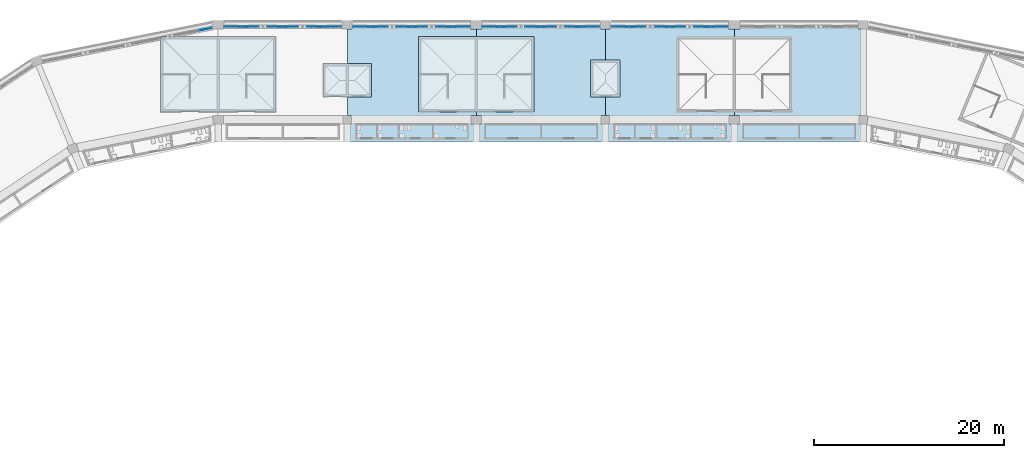
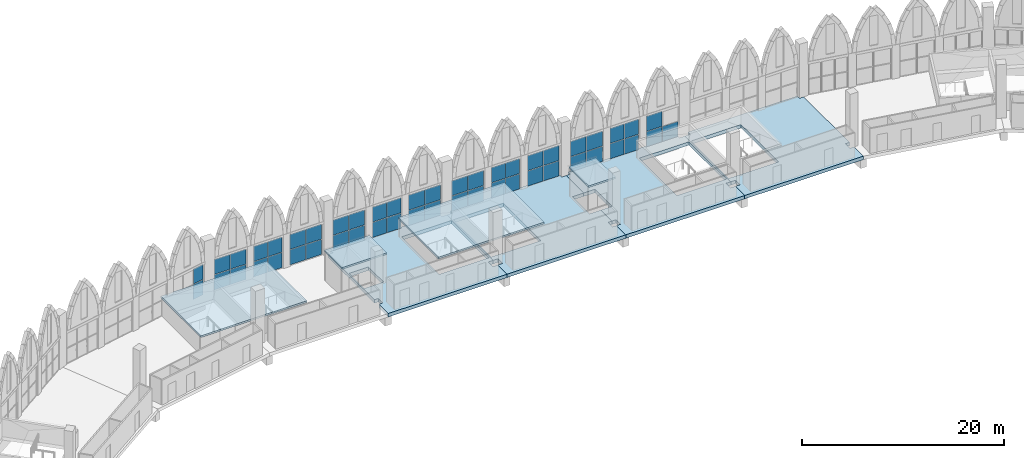
# One storey, part 59 of 130: 49 plates, 8 slabs, 13 elements without a shape of their own.
"""IFC4 building model written with IfcOpenShell, lengths in metres."""

import ifcopenshell
import ifcopenshell.guid

model = None  # the IFC model being written
_history = None  # IfcOwnerHistory: only IFC2X3 demands one
_inside = {}  # id of a spatial element -> (the spatial element, [elements in it])
_under = {}  # id of a project, library or spatial element -> (it, [spatial elements below it])
_declared = {}  # id of a project -> (the project, [libraries it declares])
_typed = {}  # id of a type object -> (the type object, [elements of that type])
_made_of = {}  # id of a material, layer set ... -> (it, [elements and type objects made of it])


def new_model(schema):
    """Start an empty IFC model of exactly this schema.

    Asked for "IFC4X3", IfcOpenShell would pick the latest addendum, in which some entities
    have other attributes; the version numbers below select the first issue.
    IFC2X3 requires an IfcOwnerHistory on every rooted entity: one is made here for all.
    """
    global model, _history
    if schema == "IFC4X3":
        model = ifcopenshell.file(schema_version=(4, 3, 0, 0))
    else:
        model = ifcopenshell.file(schema=schema)
    _inside.clear()
    _under.clear()
    _declared.clear()
    _typed.clear()
    _made_of.clear()
    _history = None
    if model.schema == "IFC2X3":
        org = make("IfcOrganization", Name="unknown")
        user = make(
            "IfcPersonAndOrganization",
            ThePerson=make("IfcPerson", FamilyName="unknown"),
            TheOrganization=org,
        )
        app = make(
            "IfcApplication",
            ApplicationDeveloper=org,
            Version="unknown",
            ApplicationFullName="unknown",
            ApplicationIdentifier="unknown",
        )
        _history = make(
            "IfcOwnerHistory",
            OwningUser=user,
            OwningApplication=app,
            ChangeAction="ADDED",
            CreationDate=0,
        )
    return model


def make(cls, **values):
    """One entity of the class cls with the attributes given. An attribute that is None is left unset."""
    return model.create_entity(
        cls, **{name: value for name, value in values.items() if value is not None}
    )


def rooted(cls, **values):
    """An entity with a GlobalId (a new one), such as an element, a storey or a relation."""
    return make(cls, GlobalId=ifcopenshell.guid.new(), OwnerHistory=_history, **values)


def si_unit(unit_type, name, prefix=None):
    """IfcSIUnit, for example si_unit("LENGTHUNIT", "METRE", prefix="MILLI")."""
    return make("IfcSIUnit", UnitType=unit_type, Prefix=prefix, Name=name)


def assignment(units):
    """IfcUnitAssignment: the units of a project."""
    return None if units is None else make("IfcUnitAssignment", Units=units)


def point(xyz):
    """IfcCartesianPoint."""
    return None if xyz is None else make("IfcCartesianPoint", Coordinates=xyz)


def direction(xyz):
    """IfcDirection."""
    return None if xyz is None else make("IfcDirection", DirectionRatios=xyz)


def frame(location, z_axis=None, x_axis=None):
    """IfcAxis2Placement3D, a coordinate frame: its origin and axes. An axis left out is left unset."""
    return make(
        "IfcAxis2Placement3D",
        Location=point(location),
        Axis=direction(z_axis),
        RefDirection=direction(x_axis),
    )


def frame_2d(location, x_axis=None):
    """IfcAxis2Placement2D, a coordinate frame in the plane: its origin and x axis."""
    return make(
        "IfcAxis2Placement2D", Location=point(location), RefDirection=direction(x_axis)
    )


def origin():
    """The frame at (0, 0, 0) with its axes left unset."""
    return frame((0.0, 0.0, 0.0))


def origin_2d():
    """The frame at (0, 0) in the plane with its x axis left unset."""
    return frame_2d((0.0, 0.0))


def place(relative_to, where):
    """IfcLocalPlacement: puts the frame where relative to a parent placement (None: the world)."""
    return make(
        "IfcLocalPlacement", PlacementRelTo=relative_to, RelativePlacement=where
    )


def context(
    kind, dimensions, precision=None, world=None, true_north=None, identifier=None
):
    """IfcGeometricRepresentationContext, for example the 3D "Model" context."""
    return make(
        "IfcGeometricRepresentationContext",
        ContextIdentifier=identifier,
        ContextType=kind,
        CoordinateSpaceDimension=dimensions,
        Precision=precision,
        WorldCoordinateSystem=world,
        TrueNorth=true_north,
    )


def subcontext(parent, identifier, kind, view, scale=None):
    """IfcGeometricRepresentationSubContext, for example "Body" below "Model"."""
    return make(
        "IfcGeometricRepresentationSubContext",
        ContextIdentifier=identifier,
        ContextType=kind,
        ParentContext=parent,
        TargetScale=scale,
        TargetView=view,
    )


def project(units=None, contexts=None):
    """IfcProject with its units and contexts."""
    return rooted(
        "IfcProject",
        Name="project",
        RepresentationContexts=contexts,
        UnitsInContext=assignment(units),
    )


def spatial(cls, under=None, at=None, **own):
    """A site, building, storey or space (cls), placed at a placement, below another one or the project."""
    s = rooted(cls, ObjectPlacement=at, **own)
    if under is not None:
        _under.setdefault(under.id(), (under, []))[1].append(s)
    return s


def polyline(points):
    """IfcPolyline through the points."""
    return make("IfcPolyline", Points=[point(p) for p in points])


def profile(cls, at=None, kind="AREA", **sizes):
    """A parametric profile (cls). Its sizes go by their IFC names, for example OverallWidth=200.0."""
    return make(cls, ProfileType=kind, Position=at, **sizes)


def rectangle(**sizes):
    """IfcRectangleProfileDef."""
    return profile("IfcRectangleProfileDef", **sizes)


def outline(outer, holes=None, kind="AREA"):
    """IfcArbitraryClosedProfileDef: a profile drawn as a closed curve; with holes, ...WithVoids."""
    if holes is None:
        return make("IfcArbitraryClosedProfileDef", ProfileType=kind, OuterCurve=outer)
    return make(
        "IfcArbitraryProfileDefWithVoids",
        ProfileType=kind,
        OuterCurve=outer,
        InnerCurves=holes,
    )


def extrude(swept, where, along, depth):
    """IfcExtrudedAreaSolid: the profile swept, set in the frame where, extruded along a direction by depth."""
    return make(
        "IfcExtrudedAreaSolid",
        SweptArea=swept,
        Position=where,
        ExtrudedDirection=direction(along),
        Depth=depth,
    )


def shape(context_of_items, identifier, shape_type, items):
    """IfcShapeRepresentation: the items that make up one representation, for example the "Body"."""
    return make(
        "IfcShapeRepresentation",
        ContextOfItems=context_of_items,
        RepresentationIdentifier=identifier,
        RepresentationType=shape_type,
        Items=items,
    )


def material(Name=None, Category=None):
    """IfcMaterial."""
    return make("IfcMaterial", Name=Name, Category=Category)


def layer(
    of_material, thickness, ventilated=None, Name=None, Category=None, Priority=None
):
    """IfcMaterialLayer: one layer of a wall or slab, of a material (None: an air gap)."""
    return make(
        "IfcMaterialLayer",
        Material=of_material,
        LayerThickness=thickness,
        IsVentilated=ventilated,
        Name=Name,
        Category=Category,
        Priority=Priority,
    )


def layer_set(layers, Name=None):
    """IfcMaterialLayerSet."""
    return make("IfcMaterialLayerSet", MaterialLayers=layers, LayerSetName=Name)


def made_of(thing, what):
    """Note that an element or type object is made of a material, layer set ...; save() writes the relation."""
    if what is not None:
        _made_of.setdefault(what.id(), (what, []))[1].append(thing)
    return thing


def type_object(cls, material=None, **own):
    """A type object (cls), such as IfcWallType, which elements share."""
    return made_of(rooted(cls, **own), material)


def element(
    cls,
    number,
    at=None,
    inside=None,
    cuts=None,
    type_object=None,
    material=None,
    context=None,
    identifier="Body",
    shape_type=None,
    held_by="IfcProductDefinitionShape",
    body=None,
    shapes=None,
    **own,
):
    """One element of the class cls, such as IfcWall. Its Tag is "e" and its number.

    at: its placement. inside: the storey or other place that contains it. cuts: it is an
    opening in that element (IfcRelVoidsElement). A single representation is given by context,
    identifier, shape_type and body (its items); several are given by shapes. held_by: the class
    of the entity that holds the representations. save() writes the other relations.
    """
    e = rooted(cls, Tag="e%d" % number, ObjectPlacement=at, **own)
    if body is not None:
        shapes = [shape(context, identifier, shape_type, body)]
    if shapes is not None:
        e.Representation = make(held_by, Representations=shapes)
    if inside is not None:
        _inside.setdefault(inside.id(), (inside, []))[1].append(e)
    if cuts is not None:
        rooted(
            "IfcRelVoidsElement", RelatingBuildingElement=cuts, RelatedOpeningElement=e
        )
    if type_object is not None:
        _typed.setdefault(type_object.id(), (type_object, []))[1].append(e)
    return made_of(e, material)


def aggregate(whole, parts):
    """IfcRelAggregates: a whole, such as a stair, and the parts it consists of."""
    return rooted("IfcRelAggregates", RelatingObject=whole, RelatedObjects=parts)


def save(model, path):
    """Write the relations noted so far, then the file.

    IfcRelAggregates (storeys below a building ...), IfcRelContainedInSpatialStructure (elements
    in a storey), IfcRelDefinesByType, IfcRelAssociatesMaterial and IfcRelDeclares: one each for
    every whole, place, type object, material and project.
    """
    for whole, parts in _under.values():
        aggregate(whole, parts)
    for where, things in _inside.values():
        rooted(
            "IfcRelContainedInSpatialStructure",
            RelatedElements=things,
            RelatingStructure=where,
        )
    for kind, things in _typed.values():
        rooted("IfcRelDefinesByType", RelatedObjects=things, RelatingType=kind)
    for what, things in _made_of.values():
        rooted("IfcRelAssociatesMaterial", RelatedObjects=things, RelatingMaterial=what)
    for by, libraries in _declared.values():
        rooted("IfcRelDeclares", RelatingContext=by, RelatedDefinitions=libraries)
    model.write(path)


model = new_model("IFC4")

# Units and contexts
model_context = context("Model", 3, precision=1e-05, world=origin(), true_north=direction((0.0, 1.0)))
body_context = subcontext(model_context, "Body", "Model", "MODEL_VIEW")
ifc_project = project(units=[si_unit("LENGTHUNIT", "METRE"), si_unit("AREAUNIT", "SQUARE_METRE"), si_unit("VOLUMEUNIT", "CUBIC_METRE"), si_unit("PLANEANGLEUNIT", "RADIAN"), si_unit("MASSUNIT", "GRAM", prefix="KILO")], contexts=[model_context])

# Site, building, storey
site_placement = place(None, origin())
site = spatial("IfcSite", under=ifc_project, at=site_placement, CompositionType="ELEMENT")
building_placement = place(site_placement, origin())
building = spatial("IfcBuilding", under=site, at=building_placement, Name="Ogive Plaza Stadium", CompositionType="ELEMENT")
storey_placement = place(building_placement, frame((0.0, 0.0, 22.5)))
storey = spatial("IfcBuildingStorey", under=building, at=storey_placement, Name="L05", CompositionType="ELEMENT", Elevation=22.5)

# Slabs
ifc_material_1 = material(Name="Concrete C40/50", Category="concrete")
ifc_layer_1 = layer(ifc_material_1, 0.199951171875)
ifc_layer_set_1 = layer_set([ifc_layer_1], Name="Concrete C40/50")
slab_type_1 = type_object("IfcSlabType", Name="Core roof slab", PredefinedType="ROOF", material=ifc_layer_set_1)
slab_1_placement = place(storey_placement, frame((0.0, 0.0, 2.10009765625)))
element("IfcSlab", 1, at=slab_1_placement, inside=storey, type_object=slab_type_1, Name="Stair core R32 roof", PredefinedType="ROOF", context=body_context, shape_type="SweptSolid", body=[
    extrude(outline(polyline([(-27.925048828125, 93.300048828125), (-27.925048828125, 101.260009765625), (-40.074951171875, 101.260009765625), (-40.074951171875, 93.300048828125), (-27.925048828125, 93.300048828125)])), origin(), (0.0, 0.0, 1.0), 0.199951171875),
])
slab_2_placement = place(storey_placement, frame((0.0, 0.0, 2.10009765625)))
element("IfcSlab", 2, at=slab_2_placement, inside=storey, type_object=slab_type_1, Name="Stair core R34 roof", PredefinedType="ROOF", context=body_context, shape_type="SweptSolid", body=[
    extrude(outline(polyline([(-0.72509765625, 93.300048828125), (-0.72509765625, 101.260009765625), (-12.875, 101.260009765625), (-12.875, 93.300048828125), (-0.72509765625, 93.300048828125)])), origin(), (0.0, 0.0, 1.0), 0.199951171875),
])

# Curtain wall, plates
ifc_material_2 = material(Name="Bronze-anodised aluminium with laminated glass", Category="aluminium")
curtain_wall_type = type_object("IfcCurtainWallType", Name="Lancet curtain wall", PredefinedType="NOTDEFINED", material=ifc_material_2)
curtain_wall_1_placement = place(storey_placement, origin())
curtain_wall_1 = element("IfcCurtainWall", 3, at=curtain_wall_1_placement, inside=storey, type_object=curtain_wall_type, Name="CURTAIN WALL B31 L05", PredefinedType="NOTDEFINED")
ifc_material_3 = material(Name="Laminated glass", Category="glass")
ifc_layer_2 = layer(ifc_material_3, 0.028076171875)
ifc_layer_set_2 = layer_set([ifc_layer_2], Name="Laminated glass panel 28")
plate_type = type_object("IfcPlateType", Name="Laminated glass panel 28", PredefinedType="CURTAIN_PANEL", material=ifc_layer_set_2)
plate_1_placement = place(storey_placement, frame((-35.32666015625, 102.0322265625, 0.0498046875), z_axis=(0.0, 0.0, 1.0), x_axis=(0.980785280403, 0.195090322016, 0.0)))
plate_1 = element("IfcPlate", 4, at=plate_1_placement, type_object=plate_type, Name="CW-B31-L05.4 panel 3.1", PredefinedType="CURTAIN_PANEL", context=body_context, shape_type="SweptSolid", body=[
    extrude(rectangle(XDim=1.30224609375, YDim=0.028076171875, at=origin_2d()), origin(), (0.0, 0.0, 1.0), 1.824951171875),
])
plate_2_placement = place(storey_placement, frame((-35.32666015625, 102.0322265625, 1.9248046875), z_axis=(0.0, 0.0, 1.0), x_axis=(0.980785280403, 0.195090322016, 0.0)))
plate_2 = element("IfcPlate", 5, at=plate_2_placement, type_object=plate_type, Name="CW-B31-L05.4 panel 3.2", PredefinedType="CURTAIN_PANEL", context=body_context, shape_type="SweptSolid", body=[
    extrude(rectangle(XDim=1.30224609375, YDim=0.028076171875, at=origin_2d()), origin(), (0.0, 0.0, 1.0), 1.824951171875),
])
aggregate(curtain_wall_1, [plate_1, plate_2])

curtain_wall_2_placement = place(storey_placement, origin())
curtain_wall_2 = element("IfcCurtainWall", 6, at=curtain_wall_2_placement, inside=storey, type_object=curtain_wall_type, Name="CURTAIN WALL B32 L05", PredefinedType="NOTDEFINED")
plate_3_placement = place(storey_placement, frame((-32.4541015625, 102.300048828125, 0.0498046875), z_axis=(0.0, 0.0, 1.0), x_axis=(1.0, 0.0, 0.0)))
plate_3 = element("IfcPlate", 7, at=plate_3_placement, type_object=plate_type, Name="CW-B32-L05.1 panel 1.1", PredefinedType="CURTAIN_PANEL", context=body_context, shape_type="SweptSolid", body=[
    extrude(rectangle(XDim=1.791748046875, YDim=0.028076171875, at=origin_2d()), origin(), (0.0, 0.0, 1.0), 1.824951171875),
])
plate_4_placement = place(storey_placement, frame((-32.4541015625, 102.300048828125, 1.9248046875), z_axis=(0.0, 0.0, 1.0), x_axis=(1.0, 0.0, 0.0)))
plate_4 = element("IfcPlate", 8, at=plate_4_placement, type_object=plate_type, Name="CW-B32-L05.1 panel 1.2", PredefinedType="CURTAIN_PANEL", context=body_context, shape_type="SweptSolid", body=[
    extrude(rectangle(XDim=1.791748046875, YDim=0.028076171875, at=origin_2d()), origin(), (0.0, 0.0, 1.0), 1.824951171875),
])
plate_5_placement = place(storey_placement, frame((-30.612548828125, 102.300048828125, 0.0498046875), z_axis=(0.0, 0.0, 1.0), x_axis=(1.0, 0.0, 0.0)))
plate_5 = element("IfcPlate", 9, at=plate_5_placement, type_object=plate_type, Name="CW-B32-L05.1 panel 2.1", PredefinedType="CURTAIN_PANEL", context=body_context, shape_type="SweptSolid", body=[
    extrude(rectangle(XDim=1.791748046875, YDim=0.028076171875, at=origin_2d()), origin(), (0.0, 0.0, 1.0), 1.824951171875),
])
plate_6_placement = place(storey_placement, frame((-30.612548828125, 102.300048828125, 1.9248046875), z_axis=(0.0, 0.0, 1.0), x_axis=(1.0, 0.0, 0.0)))
plate_6 = element("IfcPlate", 10, at=plate_6_placement, type_object=plate_type, Name="CW-B32-L05.1 panel 2.2", PredefinedType="CURTAIN_PANEL", context=body_context, shape_type="SweptSolid", body=[
    extrude(rectangle(XDim=1.791748046875, YDim=0.028076171875, at=origin_2d()), origin(), (0.0, 0.0, 1.0), 1.824951171875),
])
aggregate(curtain_wall_2, [plate_3, plate_4, plate_5, plate_6])

curtain_wall_3_placement = place(storey_placement, origin())
curtain_wall_3 = element("IfcCurtainWall", 11, at=curtain_wall_3_placement, inside=storey, type_object=curtain_wall_type, Name="CURTAIN WALL B32 L05", PredefinedType="NOTDEFINED")
plate_7_placement = place(storey_placement, frame((-28.020751953125, 102.300048828125, 0.0498046875), z_axis=(0.0, 0.0, 1.0), x_axis=(1.0, 0.0, 0.0)))
plate_7 = element("IfcPlate", 12, at=plate_7_placement, type_object=plate_type, Name="CW-B32-L05.2 panel 1.1", PredefinedType="CURTAIN_PANEL", context=body_context, shape_type="SweptSolid", body=[
    extrude(rectangle(XDim=1.591552734375, YDim=0.028076171875, at=origin_2d()), origin(), (0.0, 0.0, 1.0), 1.824951171875),
])
plate_8_placement = place(storey_placement, frame((-28.020751953125, 102.300048828125, 1.9248046875), z_axis=(0.0, 0.0, 1.0), x_axis=(1.0, 0.0, 0.0)))
plate_8 = element("IfcPlate", 13, at=plate_8_placement, type_object=plate_type, Name="CW-B32-L05.2 panel 1.2", PredefinedType="CURTAIN_PANEL", context=body_context, shape_type="SweptSolid", body=[
    extrude(rectangle(XDim=1.591552734375, YDim=0.028076171875, at=origin_2d()), origin(), (0.0, 0.0, 1.0), 1.824951171875),
])
plate_9_placement = place(storey_placement, frame((-26.379150390625, 102.300048828125, 0.0498046875), z_axis=(0.0, 0.0, 1.0), x_axis=(1.0, 0.0, 0.0)))
plate_9 = element("IfcPlate", 14, at=plate_9_placement, type_object=plate_type, Name="CW-B32-L05.2 panel 2.1", PredefinedType="CURTAIN_PANEL", context=body_context, shape_type="SweptSolid", body=[
    extrude(rectangle(XDim=1.591552734375, YDim=0.028076171875, at=origin_2d()), origin(), (0.0, 0.0, 1.0), 1.824951171875),
])
plate_10_placement = place(storey_placement, frame((-26.379150390625, 102.300048828125, 1.9248046875), z_axis=(0.0, 0.0, 1.0), x_axis=(1.0, 0.0, 0.0)))
plate_10 = element("IfcPlate", 15, at=plate_10_placement, type_object=plate_type, Name="CW-B32-L05.2 panel 2.2", PredefinedType="CURTAIN_PANEL", context=body_context, shape_type="SweptSolid", body=[
    extrude(rectangle(XDim=1.591552734375, YDim=0.028076171875, at=origin_2d()), origin(), (0.0, 0.0, 1.0), 1.824951171875),
])
aggregate(curtain_wall_3, [plate_7, plate_8, plate_9, plate_10])

curtain_wall_4_placement = place(storey_placement, origin())
curtain_wall_4 = element("IfcCurtainWall", 16, at=curtain_wall_4_placement, inside=storey, type_object=curtain_wall_type, Name="CURTAIN WALL B32 L05", PredefinedType="NOTDEFINED")
plate_11_placement = place(storey_placement, frame((-23.78759765625, 102.300048828125, 0.0498046875), z_axis=(0.0, 0.0, 1.0), x_axis=(1.0, 0.0, 0.0)))
plate_11 = element("IfcPlate", 17, at=plate_11_placement, type_object=plate_type, Name="CW-B32-L05.3 panel 1.1", PredefinedType="CURTAIN_PANEL", context=body_context, shape_type="SweptSolid", body=[
    extrude(rectangle(XDim=1.791748046875, YDim=0.028076171875, at=origin_2d()), origin(), (0.0, 0.0, 1.0), 1.824951171875),
])
plate_12_placement = place(storey_placement, frame((-23.78759765625, 102.300048828125, 1.9248046875), z_axis=(0.0, 0.0, 1.0), x_axis=(1.0, 0.0, 0.0)))
plate_12 = element("IfcPlate", 18, at=plate_12_placement, type_object=plate_type, Name="CW-B32-L05.3 panel 1.2", PredefinedType="CURTAIN_PANEL", context=body_context, shape_type="SweptSolid", body=[
    extrude(rectangle(XDim=1.791748046875, YDim=0.028076171875, at=origin_2d()), origin(), (0.0, 0.0, 1.0), 1.824951171875),
])
plate_13_placement = place(storey_placement, frame((-21.94580078125, 102.300048828125, 0.0498046875), z_axis=(0.0, 0.0, 1.0), x_axis=(1.0, 0.0, 0.0)))
plate_13 = element("IfcPlate", 19, at=plate_13_placement, type_object=plate_type, Name="CW-B32-L05.3 panel 2.1", PredefinedType="CURTAIN_PANEL", context=body_context, shape_type="SweptSolid", body=[
    extrude(rectangle(XDim=1.791748046875, YDim=0.028076171875, at=origin_2d()), origin(), (0.0, 0.0, 1.0), 1.824951171875),
])
plate_14_placement = place(storey_placement, frame((-21.94580078125, 102.300048828125, 1.9248046875), z_axis=(0.0, 0.0, 1.0), x_axis=(1.0, 0.0, 0.0)))
plate_14 = element("IfcPlate", 20, at=plate_14_placement, type_object=plate_type, Name="CW-B32-L05.3 panel 2.2", PredefinedType="CURTAIN_PANEL", context=body_context, shape_type="SweptSolid", body=[
    extrude(rectangle(XDim=1.791748046875, YDim=0.028076171875, at=origin_2d()), origin(), (0.0, 0.0, 1.0), 1.824951171875),
])
aggregate(curtain_wall_4, [plate_11, plate_12, plate_13, plate_14])

curtain_wall_5_placement = place(storey_placement, origin())
curtain_wall_5 = element("IfcCurtainWall", 21, at=curtain_wall_5_placement, inside=storey, type_object=curtain_wall_type, Name="CURTAIN WALL B33 L05", PredefinedType="NOTDEFINED")
plate_15_placement = place(storey_placement, frame((-18.854248046875, 102.300048828125, 0.0498046875), z_axis=(0.0, 0.0, 1.0), x_axis=(1.0, 0.0, 0.0)))
plate_15 = element("IfcPlate", 22, at=plate_15_placement, type_object=plate_type, Name="CW-B33-L05.1 panel 1.1", PredefinedType="CURTAIN_PANEL", context=body_context, shape_type="SweptSolid", body=[
    extrude(rectangle(XDim=1.791748046875, YDim=0.028076171875, at=origin_2d()), origin(), (0.0, 0.0, 1.0), 1.824951171875),
])
plate_16_placement = place(storey_placement, frame((-18.854248046875, 102.300048828125, 1.9248046875), z_axis=(0.0, 0.0, 1.0), x_axis=(1.0, 0.0, 0.0)))
plate_16 = element("IfcPlate", 23, at=plate_16_placement, type_object=plate_type, Name="CW-B33-L05.1 panel 1.2", PredefinedType="CURTAIN_PANEL", context=body_context, shape_type="SweptSolid", body=[
    extrude(rectangle(XDim=1.791748046875, YDim=0.028076171875, at=origin_2d()), origin(), (0.0, 0.0, 1.0), 1.824951171875),
])
plate_17_placement = place(storey_placement, frame((-17.012451171875, 102.300048828125, 0.0498046875), z_axis=(0.0, 0.0, 1.0), x_axis=(1.0, 0.0, 0.0)))
plate_17 = element("IfcPlate", 24, at=plate_17_placement, type_object=plate_type, Name="CW-B33-L05.1 panel 2.1", PredefinedType="CURTAIN_PANEL", context=body_context, shape_type="SweptSolid", body=[
    extrude(rectangle(XDim=1.791748046875, YDim=0.028076171875, at=origin_2d()), origin(), (0.0, 0.0, 1.0), 1.824951171875),
])
plate_18_placement = place(storey_placement, frame((-17.012451171875, 102.300048828125, 1.9248046875), z_axis=(0.0, 0.0, 1.0), x_axis=(1.0, 0.0, 0.0)))
plate_18 = element("IfcPlate", 25, at=plate_18_placement, type_object=plate_type, Name="CW-B33-L05.1 panel 2.2", PredefinedType="CURTAIN_PANEL", context=body_context, shape_type="SweptSolid", body=[
    extrude(rectangle(XDim=1.791748046875, YDim=0.028076171875, at=origin_2d()), origin(), (0.0, 0.0, 1.0), 1.824951171875),
])
aggregate(curtain_wall_5, [plate_15, plate_16, plate_17, plate_18])

curtain_wall_6_placement = place(storey_placement, origin())
curtain_wall_6 = element("IfcCurtainWall", 26, at=curtain_wall_6_placement, inside=storey, type_object=curtain_wall_type, Name="CURTAIN WALL B33 L05", PredefinedType="NOTDEFINED")
plate_19_placement = place(storey_placement, frame((-14.4208984375, 102.300048828125, 0.0498046875), z_axis=(0.0, 0.0, 1.0), x_axis=(1.0, 0.0, 0.0)))
plate_19 = element("IfcPlate", 27, at=plate_19_placement, type_object=plate_type, Name="CW-B33-L05.2 panel 1.1", PredefinedType="CURTAIN_PANEL", context=body_context, shape_type="SweptSolid", body=[
    extrude(rectangle(XDim=1.591552734375, YDim=0.028076171875, at=origin_2d()), origin(), (0.0, 0.0, 1.0), 1.824951171875),
])
plate_20_placement = place(storey_placement, frame((-14.4208984375, 102.300048828125, 1.9248046875), z_axis=(0.0, 0.0, 1.0), x_axis=(1.0, 0.0, 0.0)))
plate_20 = element("IfcPlate", 28, at=plate_20_placement, type_object=plate_type, Name="CW-B33-L05.2 panel 1.2", PredefinedType="CURTAIN_PANEL", context=body_context, shape_type="SweptSolid", body=[
    extrude(rectangle(XDim=1.591552734375, YDim=0.028076171875, at=origin_2d()), origin(), (0.0, 0.0, 1.0), 1.824951171875),
])
plate_21_placement = place(storey_placement, frame((-12.779052734375, 102.300048828125, 0.0498046875), z_axis=(0.0, 0.0, 1.0), x_axis=(1.0, 0.0, 0.0)))
plate_21 = element("IfcPlate", 29, at=plate_21_placement, type_object=plate_type, Name="CW-B33-L05.2 panel 2.1", PredefinedType="CURTAIN_PANEL", context=body_context, shape_type="SweptSolid", body=[
    extrude(rectangle(XDim=1.591552734375, YDim=0.028076171875, at=origin_2d()), origin(), (0.0, 0.0, 1.0), 1.824951171875),
])
plate_22_placement = place(storey_placement, frame((-12.779052734375, 102.300048828125, 1.9248046875), z_axis=(0.0, 0.0, 1.0), x_axis=(1.0, 0.0, 0.0)))
plate_22 = element("IfcPlate", 30, at=plate_22_placement, type_object=plate_type, Name="CW-B33-L05.2 panel 2.2", PredefinedType="CURTAIN_PANEL", context=body_context, shape_type="SweptSolid", body=[
    extrude(rectangle(XDim=1.591552734375, YDim=0.028076171875, at=origin_2d()), origin(), (0.0, 0.0, 1.0), 1.824951171875),
])
aggregate(curtain_wall_6, [plate_19, plate_20, plate_21, plate_22])

curtain_wall_7_placement = place(storey_placement, origin())
curtain_wall_7 = element("IfcCurtainWall", 31, at=curtain_wall_7_placement, inside=storey, type_object=curtain_wall_type, Name="CURTAIN WALL B33 L05", PredefinedType="NOTDEFINED")
plate_23_placement = place(storey_placement, frame((-10.1875, 102.300048828125, 0.0498046875), z_axis=(0.0, 0.0, 1.0), x_axis=(1.0, 0.0, 0.0)))
plate_23 = element("IfcPlate", 32, at=plate_23_placement, type_object=plate_type, Name="CW-B33-L05.3 panel 1.1", PredefinedType="CURTAIN_PANEL", context=body_context, shape_type="SweptSolid", body=[
    extrude(rectangle(XDim=1.791748046875, YDim=0.028076171875, at=origin_2d()), origin(), (0.0, 0.0, 1.0), 1.824951171875),
])
plate_24_placement = place(storey_placement, frame((-10.1875, 102.300048828125, 1.9248046875), z_axis=(0.0, 0.0, 1.0), x_axis=(1.0, 0.0, 0.0)))
plate_24 = element("IfcPlate", 33, at=plate_24_placement, type_object=plate_type, Name="CW-B33-L05.3 panel 1.2", PredefinedType="CURTAIN_PANEL", context=body_context, shape_type="SweptSolid", body=[
    extrude(rectangle(XDim=1.791748046875, YDim=0.028076171875, at=origin_2d()), origin(), (0.0, 0.0, 1.0), 1.824951171875),
])
plate_25_placement = place(storey_placement, frame((-8.345947265625, 102.300048828125, 0.0498046875), z_axis=(0.0, 0.0, 1.0), x_axis=(1.0, 0.0, 0.0)))
plate_25 = element("IfcPlate", 34, at=plate_25_placement, type_object=plate_type, Name="CW-B33-L05.3 panel 2.1", PredefinedType="CURTAIN_PANEL", context=body_context, shape_type="SweptSolid", body=[
    extrude(rectangle(XDim=1.791748046875, YDim=0.028076171875, at=origin_2d()), origin(), (0.0, 0.0, 1.0), 1.824951171875),
])
plate_26_placement = place(storey_placement, frame((-8.345947265625, 102.300048828125, 1.9248046875), z_axis=(0.0, 0.0, 1.0), x_axis=(1.0, 0.0, 0.0)))
plate_26 = element("IfcPlate", 35, at=plate_26_placement, type_object=plate_type, Name="CW-B33-L05.3 panel 2.2", PredefinedType="CURTAIN_PANEL", context=body_context, shape_type="SweptSolid", body=[
    extrude(rectangle(XDim=1.791748046875, YDim=0.028076171875, at=origin_2d()), origin(), (0.0, 0.0, 1.0), 1.824951171875),
])
aggregate(curtain_wall_7, [plate_23, plate_24, plate_25, plate_26])

curtain_wall_8_placement = place(storey_placement, origin())
curtain_wall_8 = element("IfcCurtainWall", 36, at=curtain_wall_8_placement, inside=storey, type_object=curtain_wall_type, Name="CURTAIN WALL B34 L05", PredefinedType="NOTDEFINED")
plate_27_placement = place(storey_placement, frame((-5.254150390625, 102.300048828125, 0.0498046875), z_axis=(0.0, 0.0, 1.0), x_axis=(1.0, 0.0, 0.0)))
plate_27 = element("IfcPlate", 37, at=plate_27_placement, type_object=plate_type, Name="CW-B34-L05.1 panel 1.1", PredefinedType="CURTAIN_PANEL", context=body_context, shape_type="SweptSolid", body=[
    extrude(rectangle(XDim=1.791748046875, YDim=0.028076171875, at=origin_2d()), origin(), (0.0, 0.0, 1.0), 1.824951171875),
])
plate_28_placement = place(storey_placement, frame((-5.254150390625, 102.300048828125, 1.9248046875), z_axis=(0.0, 0.0, 1.0), x_axis=(1.0, 0.0, 0.0)))
plate_28 = element("IfcPlate", 38, at=plate_28_placement, type_object=plate_type, Name="CW-B34-L05.1 panel 1.2", PredefinedType="CURTAIN_PANEL", context=body_context, shape_type="SweptSolid", body=[
    extrude(rectangle(XDim=1.791748046875, YDim=0.028076171875, at=origin_2d()), origin(), (0.0, 0.0, 1.0), 1.824951171875),
])
plate_29_placement = place(storey_placement, frame((-3.41259765625, 102.300048828125, 0.0498046875), z_axis=(0.0, 0.0, 1.0), x_axis=(1.0, 0.0, 0.0)))
plate_29 = element("IfcPlate", 39, at=plate_29_placement, type_object=plate_type, Name="CW-B34-L05.1 panel 2.1", PredefinedType="CURTAIN_PANEL", context=body_context, shape_type="SweptSolid", body=[
    extrude(rectangle(XDim=1.791748046875, YDim=0.028076171875, at=origin_2d()), origin(), (0.0, 0.0, 1.0), 1.824951171875),
])
plate_30_placement = place(storey_placement, frame((-3.41259765625, 102.300048828125, 1.9248046875), z_axis=(0.0, 0.0, 1.0), x_axis=(1.0, 0.0, 0.0)))
plate_30 = element("IfcPlate", 40, at=plate_30_placement, type_object=plate_type, Name="CW-B34-L05.1 panel 2.2", PredefinedType="CURTAIN_PANEL", context=body_context, shape_type="SweptSolid", body=[
    extrude(rectangle(XDim=1.791748046875, YDim=0.028076171875, at=origin_2d()), origin(), (0.0, 0.0, 1.0), 1.824951171875),
])
aggregate(curtain_wall_8, [plate_27, plate_28, plate_29, plate_30])

curtain_wall_9_placement = place(storey_placement, origin())
curtain_wall_9 = element("IfcCurtainWall", 41, at=curtain_wall_9_placement, inside=storey, type_object=curtain_wall_type, Name="CURTAIN WALL B34 L05", PredefinedType="NOTDEFINED")
plate_31_placement = place(storey_placement, frame((-0.82080078125, 102.300048828125, 0.0498046875), z_axis=(0.0, 0.0, 1.0), x_axis=(1.0, 0.0, 0.0)))
plate_31 = element("IfcPlate", 42, at=plate_31_placement, type_object=plate_type, Name="CW-B34-L05.2 panel 1.1", PredefinedType="CURTAIN_PANEL", context=body_context, shape_type="SweptSolid", body=[
    extrude(rectangle(XDim=1.591552734375, YDim=0.028076171875, at=origin_2d()), origin(), (0.0, 0.0, 1.0), 1.824951171875),
])
plate_32_placement = place(storey_placement, frame((-0.82080078125, 102.300048828125, 1.9248046875), z_axis=(0.0, 0.0, 1.0), x_axis=(1.0, 0.0, 0.0)))
plate_32 = element("IfcPlate", 43, at=plate_32_placement, type_object=plate_type, Name="CW-B34-L05.2 panel 1.2", PredefinedType="CURTAIN_PANEL", context=body_context, shape_type="SweptSolid", body=[
    extrude(rectangle(XDim=1.591552734375, YDim=0.028076171875, at=origin_2d()), origin(), (0.0, 0.0, 1.0), 1.824951171875),
])
plate_33_placement = place(storey_placement, frame((0.82080078125, 102.300048828125, 0.0498046875), z_axis=(0.0, 0.0, 1.0), x_axis=(1.0, 0.0, 0.0)))
plate_33 = element("IfcPlate", 44, at=plate_33_placement, type_object=plate_type, Name="CW-B34-L05.2 panel 2.1", PredefinedType="CURTAIN_PANEL", context=body_context, shape_type="SweptSolid", body=[
    extrude(rectangle(XDim=1.591552734375, YDim=0.028076171875, at=origin_2d()), origin(), (0.0, 0.0, 1.0), 1.824951171875),
])
plate_34_placement = place(storey_placement, frame((0.82080078125, 102.300048828125, 1.9248046875), z_axis=(0.0, 0.0, 1.0), x_axis=(1.0, 0.0, 0.0)))
plate_34 = element("IfcPlate", 45, at=plate_34_placement, type_object=plate_type, Name="CW-B34-L05.2 panel 2.2", PredefinedType="CURTAIN_PANEL", context=body_context, shape_type="SweptSolid", body=[
    extrude(rectangle(XDim=1.591552734375, YDim=0.028076171875, at=origin_2d()), origin(), (0.0, 0.0, 1.0), 1.824951171875),
])
aggregate(curtain_wall_9, [plate_31, plate_32, plate_33, plate_34])

curtain_wall_10_placement = place(storey_placement, origin())
curtain_wall_10 = element("IfcCurtainWall", 46, at=curtain_wall_10_placement, inside=storey, type_object=curtain_wall_type, Name="CURTAIN WALL B34 L05", PredefinedType="NOTDEFINED")
plate_35_placement = place(storey_placement, frame((3.41259765625, 102.300048828125, 0.0498046875), z_axis=(0.0, 0.0, 1.0), x_axis=(1.0, 0.0, 0.0)))
plate_35 = element("IfcPlate", 47, at=plate_35_placement, type_object=plate_type, Name="CW-B34-L05.3 panel 1.1", PredefinedType="CURTAIN_PANEL", context=body_context, shape_type="SweptSolid", body=[
    extrude(rectangle(XDim=1.791748046875, YDim=0.028076171875, at=origin_2d()), origin(), (0.0, 0.0, 1.0), 1.824951171875),
])
plate_36_placement = place(storey_placement, frame((3.41259765625, 102.300048828125, 1.9248046875), z_axis=(0.0, 0.0, 1.0), x_axis=(1.0, 0.0, 0.0)))
plate_36 = element("IfcPlate", 48, at=plate_36_placement, type_object=plate_type, Name="CW-B34-L05.3 panel 1.2", PredefinedType="CURTAIN_PANEL", context=body_context, shape_type="SweptSolid", body=[
    extrude(rectangle(XDim=1.791748046875, YDim=0.028076171875, at=origin_2d()), origin(), (0.0, 0.0, 1.0), 1.824951171875),
])
plate_37_placement = place(storey_placement, frame((5.254150390625, 102.300048828125, 0.0498046875), z_axis=(0.0, 0.0, 1.0), x_axis=(1.0, 0.0, 0.0)))
plate_37 = element("IfcPlate", 49, at=plate_37_placement, type_object=plate_type, Name="CW-B34-L05.3 panel 2.1", PredefinedType="CURTAIN_PANEL", context=body_context, shape_type="SweptSolid", body=[
    extrude(rectangle(XDim=1.791748046875, YDim=0.028076171875, at=origin_2d()), origin(), (0.0, 0.0, 1.0), 1.824951171875),
])
plate_38_placement = place(storey_placement, frame((5.254150390625, 102.300048828125, 1.9248046875), z_axis=(0.0, 0.0, 1.0), x_axis=(1.0, 0.0, 0.0)))
plate_38 = element("IfcPlate", 50, at=plate_38_placement, type_object=plate_type, Name="CW-B34-L05.3 panel 2.2", PredefinedType="CURTAIN_PANEL", context=body_context, shape_type="SweptSolid", body=[
    extrude(rectangle(XDim=1.791748046875, YDim=0.028076171875, at=origin_2d()), origin(), (0.0, 0.0, 1.0), 1.824951171875),
])
aggregate(curtain_wall_10, [plate_35, plate_36, plate_37, plate_38])

curtain_wall_11_placement = place(storey_placement, origin())
curtain_wall_11 = element("IfcCurtainWall", 51, at=curtain_wall_11_placement, inside=storey, type_object=curtain_wall_type, Name="CURTAIN WALL B35 L05", PredefinedType="NOTDEFINED")
plate_39_placement = place(storey_placement, frame((8.345947265625, 102.300048828125, 0.0498046875), z_axis=(0.0, 0.0, 1.0), x_axis=(1.0, 0.0, 0.0)))
plate_39 = element("IfcPlate", 52, at=plate_39_placement, type_object=plate_type, Name="CW-B35-L05.1 panel 1.1", PredefinedType="CURTAIN_PANEL", context=body_context, shape_type="SweptSolid", body=[
    extrude(rectangle(XDim=1.791748046875, YDim=0.028076171875, at=origin_2d()), origin(), (0.0, 0.0, 1.0), 1.824951171875),
])
plate_40_placement = place(storey_placement, frame((8.345947265625, 102.300048828125, 1.9248046875), z_axis=(0.0, 0.0, 1.0), x_axis=(1.0, 0.0, 0.0)))
plate_40 = element("IfcPlate", 53, at=plate_40_placement, type_object=plate_type, Name="CW-B35-L05.1 panel 1.2", PredefinedType="CURTAIN_PANEL", context=body_context, shape_type="SweptSolid", body=[
    extrude(rectangle(XDim=1.791748046875, YDim=0.028076171875, at=origin_2d()), origin(), (0.0, 0.0, 1.0), 1.824951171875),
])
plate_41_placement = place(storey_placement, frame((10.1875, 102.300048828125, 0.0498046875), z_axis=(0.0, 0.0, 1.0), x_axis=(1.0, 0.0, 0.0)))
plate_41 = element("IfcPlate", 54, at=plate_41_placement, type_object=plate_type, Name="CW-B35-L05.1 panel 2.1", PredefinedType="CURTAIN_PANEL", context=body_context, shape_type="SweptSolid", body=[
    extrude(rectangle(XDim=1.791748046875, YDim=0.028076171875, at=origin_2d()), origin(), (0.0, 0.0, 1.0), 1.824951171875),
])
plate_42_placement = place(storey_placement, frame((10.1875, 102.300048828125, 1.9248046875), z_axis=(0.0, 0.0, 1.0), x_axis=(1.0, 0.0, 0.0)))
plate_42 = element("IfcPlate", 55, at=plate_42_placement, type_object=plate_type, Name="CW-B35-L05.1 panel 2.2", PredefinedType="CURTAIN_PANEL", context=body_context, shape_type="SweptSolid", body=[
    extrude(rectangle(XDim=1.791748046875, YDim=0.028076171875, at=origin_2d()), origin(), (0.0, 0.0, 1.0), 1.824951171875),
])
aggregate(curtain_wall_11, [plate_39, plate_40, plate_41, plate_42])

curtain_wall_12_placement = place(storey_placement, origin())
curtain_wall_12 = element("IfcCurtainWall", 56, at=curtain_wall_12_placement, inside=storey, type_object=curtain_wall_type, Name="CURTAIN WALL B35 L05", PredefinedType="NOTDEFINED")
plate_43_placement = place(storey_placement, frame((12.779052734375, 102.300048828125, 0.0498046875), z_axis=(0.0, 0.0, 1.0), x_axis=(1.0, 0.0, 0.0)))
plate_43 = element("IfcPlate", 57, at=plate_43_placement, type_object=plate_type, Name="CW-B35-L05.2 panel 1.1", PredefinedType="CURTAIN_PANEL", context=body_context, shape_type="SweptSolid", body=[
    extrude(rectangle(XDim=1.591552734375, YDim=0.028076171875, at=origin_2d()), origin(), (0.0, 0.0, 1.0), 1.824951171875),
])
plate_44_placement = place(storey_placement, frame((12.779052734375, 102.300048828125, 1.9248046875), z_axis=(0.0, 0.0, 1.0), x_axis=(1.0, 0.0, 0.0)))
plate_44 = element("IfcPlate", 58, at=plate_44_placement, type_object=plate_type, Name="CW-B35-L05.2 panel 1.2", PredefinedType="CURTAIN_PANEL", context=body_context, shape_type="SweptSolid", body=[
    extrude(rectangle(XDim=1.591552734375, YDim=0.028076171875, at=origin_2d()), origin(), (0.0, 0.0, 1.0), 1.824951171875),
])
plate_45_placement = place(storey_placement, frame((14.4208984375, 102.300048828125, 0.0498046875), z_axis=(0.0, 0.0, 1.0), x_axis=(1.0, 0.0, 0.0)))
plate_45 = element("IfcPlate", 59, at=plate_45_placement, type_object=plate_type, Name="CW-B35-L05.2 panel 2.1", PredefinedType="CURTAIN_PANEL", context=body_context, shape_type="SweptSolid", body=[
    extrude(rectangle(XDim=1.591552734375, YDim=0.028076171875, at=origin_2d()), origin(), (0.0, 0.0, 1.0), 1.824951171875),
])
plate_46_placement = place(storey_placement, frame((14.4208984375, 102.300048828125, 1.9248046875), z_axis=(0.0, 0.0, 1.0), x_axis=(1.0, 0.0, 0.0)))
plate_46 = element("IfcPlate", 60, at=plate_46_placement, type_object=plate_type, Name="CW-B35-L05.2 panel 2.2", PredefinedType="CURTAIN_PANEL", context=body_context, shape_type="SweptSolid", body=[
    extrude(rectangle(XDim=1.591552734375, YDim=0.028076171875, at=origin_2d()), origin(), (0.0, 0.0, 1.0), 1.824951171875),
])
aggregate(curtain_wall_12, [plate_43, plate_44, plate_45, plate_46])

curtain_wall_13_placement = place(storey_placement, origin())
curtain_wall_13 = element("IfcCurtainWall", 61, at=curtain_wall_13_placement, inside=storey, type_object=curtain_wall_type, Name="CURTAIN WALL B35 L05", PredefinedType="NOTDEFINED")
plate_47_placement = place(storey_placement, frame((17.012451171875, 102.300048828125, 0.0498046875), z_axis=(0.0, 0.0, 1.0), x_axis=(1.0, 0.0, 0.0)))
plate_47 = element("IfcPlate", 62, at=plate_47_placement, type_object=plate_type, Name="CW-B35-L05.3 panel 1.1", PredefinedType="CURTAIN_PANEL", context=body_context, shape_type="SweptSolid", body=[
    extrude(rectangle(XDim=1.791748046875, YDim=0.028076171875, at=origin_2d()), origin(), (0.0, 0.0, 1.0), 1.824951171875),
])
plate_48_placement = place(storey_placement, frame((17.012451171875, 102.300048828125, 1.9248046875), z_axis=(0.0, 0.0, 1.0), x_axis=(1.0, 0.0, 0.0)))
plate_48 = element("IfcPlate", 63, at=plate_48_placement, type_object=plate_type, Name="CW-B35-L05.3 panel 1.2", PredefinedType="CURTAIN_PANEL", context=body_context, shape_type="SweptSolid", body=[
    extrude(rectangle(XDim=1.791748046875, YDim=0.028076171875, at=origin_2d()), origin(), (0.0, 0.0, 1.0), 1.824951171875),
])
plate_49_placement = place(storey_placement, frame((18.854248046875, 102.300048828125, 0.0498046875), z_axis=(0.0, 0.0, 1.0), x_axis=(1.0, 0.0, 0.0)))
plate_49 = element("IfcPlate", 64, at=plate_49_placement, type_object=plate_type, Name="CW-B35-L05.3 panel 2.1", PredefinedType="CURTAIN_PANEL", context=body_context, shape_type="SweptSolid", body=[
    extrude(rectangle(XDim=1.791748046875, YDim=0.028076171875, at=origin_2d()), origin(), (0.0, 0.0, 1.0), 1.824951171875),
])
aggregate(curtain_wall_13, [plate_47, plate_48, plate_49])

# Slabs
ifc_material_4 = material(Name="Concrete C40/50", Category="concrete")
ifc_layer_3 = layer(ifc_material_4, 0.199951171875)
ifc_layer_set_3 = layer_set([ifc_layer_3], Name="Concrete C40/50")
slab_type_2 = type_object("IfcSlabType", Name="Lift overrun roof slab", PredefinedType="ROOF", material=ifc_layer_set_3)
slab_3_placement = place(storey_placement, frame((0.0, 0.0, 3.39990234375)))
element("IfcSlab", 65, at=slab_3_placement, inside=storey, type_object=slab_type_2, Name="Lift core LP33 roof", PredefinedType="ROOF", context=body_context, shape_type="SweptSolid", body=[
    extrude(outline(polyline([(-17.824951171875, 94.89990234375), (-17.824951171875, 98.39990234375), (-22.97509765625, 98.39990234375), (-22.97509765625, 94.89990234375), (-17.824951171875, 94.89990234375)])), origin(), (0.0, 0.0, 1.0), 0.2001953125),
])
slab_4_placement = place(storey_placement, frame((0.0, 0.0, 3.39990234375)))
element("IfcSlab", 66, at=slab_4_placement, inside=storey, type_object=slab_type_2, Name="Lift core LS35 roof", PredefinedType="ROOF", context=body_context, shape_type="SweptSolid", body=[
    extrude(outline(polyline([(8.35009765625, 94.89990234375), (8.35009765625, 98.800048828125), (5.25, 98.800048828125), (5.25, 94.89990234375), (8.35009765625, 94.89990234375)])), origin(), (0.0, 0.0, 1.0), 0.2001953125),
])
ifc_material_5 = material(Name="Concrete C40/50", Category="concrete")
ifc_layer_4 = layer(ifc_material_5, 0.409912109375)
ifc_layer_set_4 = layer_set([ifc_layer_4], Name="Concrete C40/50")
slab_type_3 = type_object("IfcSlabType", Name="RC floor slab 410", PredefinedType="FLOOR", material=ifc_layer_set_4)
slab_5_placement = place(storey_placement, frame((0.0, 0.0, -0.409912109375)))
element("IfcSlab", 67, at=slab_5_placement, inside=storey, type_object=slab_type_3, Name="Floor slab L05 B33", PredefinedType="FLOOR", context=body_context, shape_type="SweptSolid", body=[
    extrude(outline(polyline([(-6.800048828125, 92.050048828125), (-7.35009765625, 92.050048828125), (-7.35009765625, 92.949951171875), (-6.800048828125, 92.949951171875), (-6.800048828125, 102.050048828125), (-7.39990234375, 102.050048828125), (-7.39990234375, 102.5), (-19.89990234375, 102.5), (-19.89990234375, 102.050048828125), (-20.39990234375, 102.050048828125), (-20.39990234375, 92.949951171875), (-19.949951171875, 92.949951171875), (-19.949951171875, 92.050048828125), (-20.39990234375, 92.050048828125), (-20.39990234375, 90.199951171875), (-6.800048828125, 90.199951171875), (-6.800048828125, 92.050048828125)]), holes=[polyline([(-20.27490234375, 95.14990234375), (-18.074951171875, 95.14990234375), (-18.074951171875, 98.14990234375), (-20.27490234375, 98.14990234375), (-20.27490234375, 95.14990234375)]), polyline([(-6.925048828125, 93.550048828125), (-6.925048828125, 101.010009765625), (-12.625, 101.010009765625), (-12.625, 93.550048828125), (-6.925048828125, 93.550048828125)])]), origin(), (0.0, 0.0, 1.0), 0.409912109375),
])
slab_6_placement = place(storey_placement, frame((0.0, 0.0, -0.409912109375)))
element("IfcSlab", 68, at=slab_6_placement, inside=storey, type_object=slab_type_3, Name="Floor slab L05 B34", PredefinedType="FLOOR", context=body_context, shape_type="SweptSolid", body=[
    extrude(outline(polyline([(6.800048828125, 92.050048828125), (6.35009765625, 92.050048828125), (6.35009765625, 92.949951171875), (6.800048828125, 92.949951171875), (6.800048828125, 95.14990234375), (5.5, 95.14990234375), (5.5, 98.550048828125), (6.800048828125, 98.550048828125), (6.800048828125, 102.050048828125), (6.300048828125, 102.050048828125), (6.300048828125, 102.5), (-6.199951171875, 102.5), (-6.199951171875, 102.050048828125), (-6.800048828125, 102.050048828125), (-6.800048828125, 92.949951171875), (-6.25, 92.949951171875), (-6.25, 92.050048828125), (-6.800048828125, 92.050048828125), (-6.800048828125, 90.199951171875), (6.800048828125, 90.199951171875), (6.800048828125, 92.050048828125)]), holes=[polyline([(-6.675048828125, 93.550048828125), (-0.97509765625, 93.550048828125), (-0.97509765625, 101.010009765625), (-6.675048828125, 101.010009765625), (-6.675048828125, 93.550048828125)])]), origin(), (0.0, 0.0, 1.0), 0.409912109375),
])
slab_7_placement = place(storey_placement, frame((0.0, 0.0, -0.409912109375)))
element("IfcSlab", 69, at=slab_7_placement, inside=storey, type_object=slab_type_3, Name="Floor slab L05 B35", PredefinedType="FLOOR", context=body_context, shape_type="SweptSolid", body=[
    extrude(outline(polyline([(20.39990234375, 92.050048828125), (19.85009765625, 92.050048828125), (19.85009765625, 92.949951171875), (20.39990234375, 92.949951171875), (20.39990234375, 102.050048828125), (19.800048828125, 102.050048828125), (19.800048828125, 102.5), (7.300048828125, 102.5), (7.300048828125, 102.050048828125), (6.800048828125, 102.050048828125), (6.800048828125, 98.550048828125), (8.10009765625, 98.550048828125), (8.10009765625, 95.14990234375), (6.800048828125, 95.14990234375), (6.800048828125, 92.949951171875), (7.25, 92.949951171875), (7.25, 92.050048828125), (6.800048828125, 92.050048828125), (6.800048828125, 90.199951171875), (20.39990234375, 90.199951171875), (20.39990234375, 92.050048828125)]), holes=[polyline([(14.574951171875, 93.550048828125), (20.27490234375, 93.550048828125), (20.27490234375, 101.010009765625), (14.574951171875, 101.010009765625), (14.574951171875, 93.550048828125)])]), origin(), (0.0, 0.0, 1.0), 0.409912109375),
])
slab_8_placement = place(storey_placement, frame((0.0, 0.0, -0.409912109375)))
element("IfcSlab", 70, at=slab_8_placement, inside=storey, type_object=slab_type_3, Name="Floor slab L05 B36", PredefinedType="FLOOR", context=body_context, shape_type="SweptSolid", body=[
    extrude(outline(polyline([(34.0, 92.050048828125), (33.550048828125, 92.050048828125), (33.550048828125, 92.949951171875), (34.0, 92.949951171875), (34.0, 102.050048828125), (33.5, 102.050048828125), (33.5, 102.5), (21.0, 102.5), (21.0, 102.050048828125), (20.39990234375, 102.050048828125), (20.39990234375, 92.949951171875), (20.949951171875, 92.949951171875), (20.949951171875, 92.050048828125), (20.39990234375, 92.050048828125), (20.39990234375, 90.199951171875), (34.0, 90.199951171875), (34.0, 92.050048828125)]), holes=[polyline([(20.52490234375, 93.550048828125), (26.22509765625, 93.550048828125), (26.22509765625, 101.010009765625), (20.52490234375, 101.010009765625), (20.52490234375, 93.550048828125)])]), origin(), (0.0, 0.0, 1.0), 0.409912109375),
])

save(model, "model.ifc")
